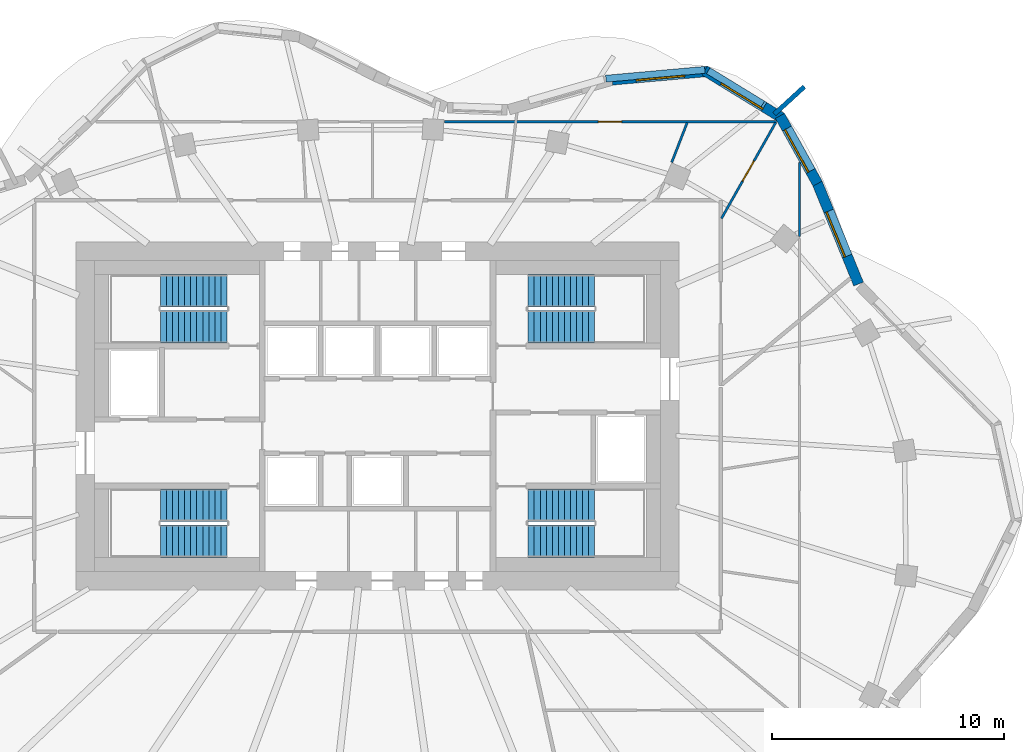
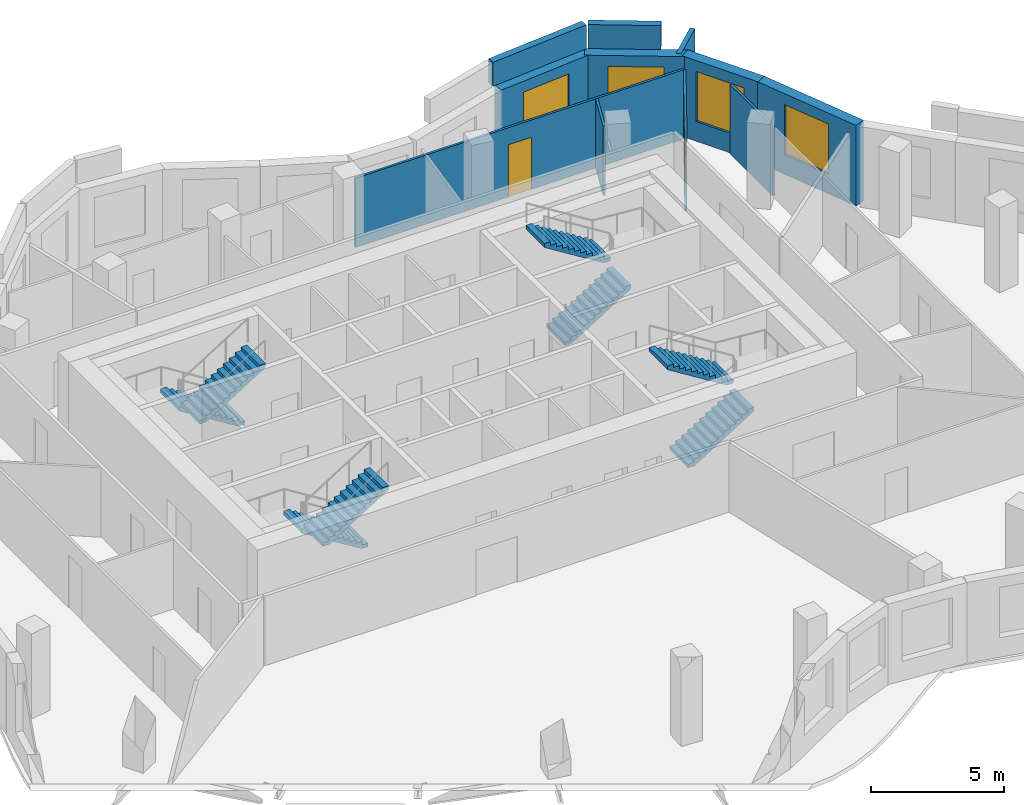
# One storey, part 8 of 9: 11 walls, 8 stair flights, 4 windows, 2 doors, 6 openings, 4 elements without a shape of their own.
"""IFC4 building model written with IfcOpenShell, lengths in metres."""

from ifc_helpers import new_model, si_unit, direction, frame, frame_2d, origin, place, context, subcontext, project, spatial, polyline, rectangle, outline, extrude, material, layer, layer_set, type_object, element, fill, aggregate, save


model = new_model("IFC4")

# Units and contexts
model_context = context("Model", 3, precision=1e-05, world=origin(), true_north=direction((0.0, 1.0)))
body_context = subcontext(model_context, "Body", "Model", "MODEL_VIEW")
ifc_project = project(units=[si_unit("LENGTHUNIT", "METRE"), si_unit("AREAUNIT", "SQUARE_METRE"), si_unit("VOLUMEUNIT", "CUBIC_METRE"), si_unit("PLANEANGLEUNIT", "RADIAN"), si_unit("MASSUNIT", "GRAM", prefix="KILO")], contexts=[model_context])

# Site, building, storey
site_placement = place(None, origin())
site = spatial("IfcSite", under=ifc_project, at=site_placement, CompositionType="ELEMENT")
building_placement = place(site_placement, origin())
building = spatial("IfcBuilding", under=site, at=building_placement, Name="Rubra Terraces Tower", CompositionType="ELEMENT")
storey_placement = place(building_placement, frame((0.0, 0.0, 272.699951171875)))
storey = spatial("IfcBuildingStorey", under=building, at=storey_placement, Name="L67", CompositionType="ELEMENT", Elevation=272.699951171875)

# Wall, opening, window
ifc_material_1 = material(Name="Brick masonry red-brown", Category="masonry")
ifc_layer_1 = layer(ifc_material_1, 0.449951171875)
ifc_layer_set_1 = layer_set([ifc_layer_1], Name="Brick masonry red-brown")
wall_type_1 = type_object("IfcWallType", Name="Brick facade wall 450", PredefinedType="SOLIDWALL", material=ifc_layer_set_1)
wall_1_placement = place(storey_placement, frame((20.753173828125, 10.190673828125, 0.0), z_axis=(0.0, 0.0, 1.0), x_axis=(-0.378471272902, 0.925613037715, 0.0)))
wall_1 = element("IfcWall", 1, at=wall_1_placement, inside=storey, type_object=wall_type_1, Name="Facade wall L67 bay 4", PredefinedType="SOLIDWALL", context=body_context, shape_type="SweptSolid", body=[
    extrude(rectangle(XDim=4.70703125, YDim=0.449951171875, at=frame_2d((2.353515625, 0.0))), origin(), (0.0, 0.0, 1.0), 3.699951171875),
])
opening_1_placement = place(wall_1_placement, frame((1.303466796875, 0.0, 0.89990234375)))
opening_1 = element("IfcOpeningElement", 2, at=opening_1_placement, cuts=wall_1, Name="Opening W1B", PredefinedType="OPENING", context=body_context, shape_type="SweptSolid", body=[
    extrude(rectangle(XDim=2.10009765625, YDim=2.300048828125, at=frame_2d((1.050048828125, 1.14990234375))), frame((0.0, 0.23486328125, 0.0), z_axis=(0.0, -1.0, 0.0), x_axis=(1.0, 0.0, 0.0)), (0.0, 0.0, 1.0), 0.469970703125),
])
ifc_material_2 = material(Name="Clear glass in aluminium frame", Category="aluminium")
window_type = type_object("IfcWindowType", Name="Fixed deep-set window tall storey 2100 x 2300", PartitioningType="SINGLE_PANEL", PredefinedType="WINDOW", material=ifc_material_2)
window_1_placement = place(opening_1_placement, origin())
window_1 = element("IfcWindow", 3, at=window_1_placement, inside=storey, type_object=window_type, Name="Window L67 bay 4", OverallHeight=2.300048828125, OverallWidth=2.10009765625, PartitioningType="SINGLE_PANEL", PredefinedType="WINDOW", context=body_context, shape_type="SweptSolid", body=[
    extrude(rectangle(XDim=2.10009765625, YDim=2.300048828125, at=frame_2d((1.050048828125, 1.14990234375))), frame((0.0, 0.135009765625, 0.0), z_axis=(0.0, -1.0, 0.0), x_axis=(1.0, 0.0, 0.0)), (0.0, 0.0, 1.0), 0.06005859375),
])
fill(opening_1, window_1)

wall_2_placement = place(storey_placement, frame((18.9833984375, 14.5234375, 0.0), z_axis=(0.0, 0.0, 1.0), x_axis=(-0.485630534022, 0.874164163316, 0.0)))
wall_2 = element("IfcWall", 4, at=wall_2_placement, inside=storey, type_object=wall_type_1, Name="Facade wall L67 bay 5", PredefinedType="SOLIDWALL", context=body_context, shape_type="SweptSolid", body=[
    extrude(rectangle(XDim=3.34423828125, YDim=0.449951171875, at=frame_2d((1.672119140625, 0.0))), origin(), (0.0, 0.0, 1.0), 3.699951171875),
])
opening_2_placement = place(wall_2_placement, frame((0.6220703125, 0.0, 0.89990234375)))
opening_2 = element("IfcOpeningElement", 5, at=opening_2_placement, cuts=wall_2, Name="Opening W1B", PredefinedType="OPENING", context=body_context, shape_type="SweptSolid", body=[
    extrude(rectangle(XDim=2.10009765625, YDim=2.300048828125, at=frame_2d((1.050048828125, 1.14990234375))), frame((0.0, 0.23486328125, 0.0), z_axis=(0.0, -1.0, 0.0), x_axis=(1.0, 0.0, 0.0)), (0.0, 0.0, 1.0), 0.469970703125),
])
window_2_placement = place(opening_2_placement, origin())
window_2 = element("IfcWindow", 6, at=window_2_placement, inside=storey, type_object=window_type, Name="Window L67 bay 5", OverallHeight=2.300048828125, OverallWidth=2.10009765625, PartitioningType="SINGLE_PANEL", PredefinedType="WINDOW", context=body_context, shape_type="SweptSolid", body=[
    extrude(rectangle(XDim=2.10009765625, YDim=2.300048828125, at=frame_2d((1.050048828125, 1.14990234375))), frame((0.0, 0.135009765625, 0.0), z_axis=(0.0, -1.0, 0.0), x_axis=(1.0, 0.0, 0.0)), (0.0, 0.0, 1.0), 0.06005859375),
])
fill(opening_2, window_2)

wall_3_placement = place(storey_placement, frame((17.4384765625, 17.3642578125, 0.0), z_axis=(0.0, 0.0, 1.0), x_axis=(-0.852622865325, 0.522526793117, 0.0)))
wall_3 = element("IfcWall", 7, at=wall_3_placement, inside=storey, type_object=wall_type_1, Name="Facade wall L67 bay 6", PredefinedType="SOLIDWALL", context=body_context, shape_type="SweptSolid", body=[
    extrude(rectangle(XDim=3.896240234375, YDim=0.449951171875, at=frame_2d((1.9482421875, 0.0))), origin(), (0.0, 0.0, 1.0), 3.699951171875),
])
opening_3_placement = place(wall_3_placement, frame((0.898193359375, 0.0, 0.89990234375)))
opening_3 = element("IfcOpeningElement", 8, at=opening_3_placement, cuts=wall_3, Name="Opening W1B", PredefinedType="OPENING", context=body_context, shape_type="SweptSolid", body=[
    extrude(rectangle(XDim=2.10009765625, YDim=2.300048828125, at=frame_2d((1.050048828125, 1.14990234375))), frame((0.0, 0.23486328125, 0.0), z_axis=(0.0, -1.0, 0.0), x_axis=(1.0, 0.0, 0.0)), (0.0, 0.0, 1.0), 0.469970703125),
])
window_3_placement = place(opening_3_placement, origin())
window_3 = element("IfcWindow", 9, at=window_3_placement, inside=storey, type_object=window_type, Name="Window L67 bay 6", OverallHeight=2.300048828125, OverallWidth=2.10009765625, PartitioningType="SINGLE_PANEL", PredefinedType="WINDOW", context=body_context, shape_type="SweptSolid", body=[
    extrude(rectangle(XDim=2.10009765625, YDim=2.300048828125, at=frame_2d((1.050048828125, 1.14990234375))), frame((0.0, 0.135009765625, 0.0), z_axis=(0.0, -1.0, 0.0), x_axis=(1.0, 0.0, 0.0)), (0.0, 0.0, 1.0), 0.06005859375),
])
fill(opening_3, window_3)

wall_4_placement = place(storey_placement, frame((14.25390625, 19.367919921875, 0.0), z_axis=(0.0, 0.0, 1.0), x_axis=(-0.996031553729, -0.089000808852, 0.0)))
wall_4 = element("IfcWall", 10, at=wall_4_placement, inside=storey, type_object=wall_type_1, Name="Facade wall L67 bay 7", PredefinedType="SOLIDWALL", context=body_context, shape_type="SweptSolid", body=[
    extrude(rectangle(XDim=4.144775390625, YDim=0.449951171875, at=frame_2d((2.072265625, 0.0))), origin(), (0.0, 0.0, 1.0), 3.699951171875),
])
opening_4_placement = place(wall_4_placement, frame((1.0224609375, 0.0, 0.89990234375)))
opening_4 = element("IfcOpeningElement", 11, at=opening_4_placement, cuts=wall_4, Name="Opening W1B", PredefinedType="OPENING", context=body_context, shape_type="SweptSolid", body=[
    extrude(rectangle(XDim=2.10009765625, YDim=2.300048828125, at=frame_2d((1.050048828125, 1.14990234375))), frame((0.0, 0.23486328125, 0.0), z_axis=(0.0, -1.0, 0.0), x_axis=(1.0, 0.0, 0.0)), (0.0, 0.0, 1.0), 0.469970703125),
])
window_4_placement = place(opening_4_placement, origin())
window_4 = element("IfcWindow", 12, at=window_4_placement, inside=storey, type_object=window_type, Name="Window L67 bay 7", OverallHeight=2.300048828125, OverallWidth=2.10009765625, PartitioningType="SINGLE_PANEL", PredefinedType="WINDOW", context=body_context, shape_type="SweptSolid", body=[
    extrude(rectangle(XDim=2.10009765625, YDim=2.300048828125, at=frame_2d((1.050048828125, 1.14990234375))), frame((0.0, 0.135009765625, 0.0), z_axis=(0.0, -1.0, 0.0), x_axis=(1.0, 0.0, 0.0)), (0.0, 0.0, 1.0), 0.06005859375),
])
fill(opening_4, window_4)

# Walls
ifc_layer_2 = layer(ifc_material_1, 0.300048828125)
ifc_layer_set_2 = layer_set([ifc_layer_2], Name="Brick masonry red-brown")
wall_type_2 = type_object("IfcWallType", Name="Brick parapet 300", PredefinedType="PARAPET", material=ifc_layer_set_2)
wall_5_placement = place(storey_placement, frame((16.617431640625, 17.955322265625, 3.900146484375), z_axis=(0.0, 0.0, 1.0), x_axis=(-0.852620335105, 0.522530921732, 0.0)))
element("IfcWall", 13, at=wall_5_placement, inside=storey, type_object=wall_type_2, Name="Parapet L67 bay 6", PredefinedType="PARAPET", context=body_context, shape_type="SweptSolid", body=[
    extrude(rectangle(XDim=2.758056640625, YDim=0.300048828125, at=frame_2d((1.37890625, 0.0))), origin(), (0.0, 0.0, 1.0), 1.099853515625),
])
wall_6_placement = place(storey_placement, frame((14.11865234375, 19.43115234375, 3.900146484375), z_axis=(0.0, 0.0, 1.0), x_axis=(-0.996029858658, -0.089019776805, 0.0)))
element("IfcWall", 14, at=wall_6_placement, inside=storey, type_object=wall_type_2, Name="Parapet L67 bay 7", PredefinedType="PARAPET", context=body_context, shape_type="SweptSolid", body=[
    extrude(rectangle(XDim=4.283935546875, YDim=0.300048828125, at=frame_2d((2.14208984375, 0.0))), origin(), (0.0, 0.0, 1.0), 1.099853515625),
])
ifc_layer_3 = layer(ifc_material_1, 0.199951171875)
ifc_layer_set_3 = layer_set([ifc_layer_3], Name="Brick masonry red-brown")
wall_type_3 = type_object("IfcWallType", Name="Brick wind fin 200", PredefinedType="SOLIDWALL", material=ifc_layer_set_3)
wall_7_placement = place(storey_placement, frame((17.118896484375, 17.52294921875, 0.0), z_axis=(0.0, 0.0, 1.0), x_axis=(0.737866019047, 0.674947211221, 0.0)))
element("IfcWall", 15, at=wall_7_placement, inside=storey, type_object=wall_type_3, Name="Wind fin L67 3", PredefinedType="SOLIDWALL", context=body_context, shape_type="SweptSolid", body=[
    extrude(rectangle(XDim=1.75, YDim=0.199951171875, at=frame_2d((0.875, 0.0))), origin(), (0.0, 0.0, 1.0), 3.699951171875),
])

# Wall, opening, door
ifc_material_3 = material(Name="Plasterboard on steel stud", Category="steel")
ifc_layer_4 = layer(ifc_material_3, 0.10009765625)
ifc_layer_set_4 = layer_set([ifc_layer_4], Name="Plasterboard on steel stud")
wall_type_4 = type_object("IfcWallType", Name="ROOM PARTITION 100", PredefinedType="PARTITIONING", material=ifc_layer_set_4)
wall_8_placement = place(storey_placement, frame((2.879150390625, 17.199951171875, 0.0), z_axis=(0.0, 0.0, 1.0), x_axis=(1.0, 0.0, 0.0)))
wall_8 = element("IfcWall", 16, at=wall_8_placement, inside=storey, type_object=wall_type_4, Name="PARTITION", PredefinedType="PARTITIONING", context=body_context, shape_type="SweptSolid", body=[
    extrude(rectangle(XDim=14.3369140625, YDim=0.10009765625, at=frame_2d((7.16845703125, 0.0))), origin(), (0.0, 0.0, 1.0), 3.18408203125),
])
opening_5_placement = place(wall_8_placement, frame((6.64990234375, 0.0, 0.0)))
opening_5 = element("IfcOpeningElement", 17, at=opening_5_placement, cuts=wall_8, Name="Opening 67-117", PredefinedType="OPENING", context=body_context, shape_type="SweptSolid", body=[
    extrude(rectangle(XDim=1.0, YDim=2.39990234375, at=frame_2d((0.5, 1.199951171875))), frame((0.0, 0.06005859375, 0.0), z_axis=(0.0, -1.0, 0.0), x_axis=(1.0, 0.0, 0.0)), (0.0, 0.0, 1.0), 0.1201171875),
])
ifc_material_4 = material(Name="Glazed aluminium meeting door leaf", Category="aluminium")
door_type = type_object("IfcDoorType", Name="MEETING ROOM GLAZED DOOR 1000 X 2400", OperationType="SINGLE_SWING_LEFT", PredefinedType="DOOR", material=ifc_material_4)
door_1_placement = place(opening_5_placement, origin())
door_1 = element("IfcDoor", 18, at=door_1_placement, inside=storey, type_object=door_type, Name="DOOR 67-117", OperationType="SINGLE_SWING_LEFT", OverallHeight=2.39990234375, OverallWidth=1.0, PredefinedType="DOOR", context=body_context, shape_type="SweptSolid", body=[
    extrude(rectangle(XDim=1.0, YDim=2.39990234375, at=frame_2d((0.5, 1.199951171875))), frame((0.0, 0.02490234375, 0.0), z_axis=(0.0, -1.0, 0.0), x_axis=(1.0, 0.0, 0.0)), (0.0, 0.0, 1.0), 0.050048828125),
])
fill(opening_5, door_1)

# Wall
wall_9_placement = place(storey_placement, frame((18.199951171875, 15.428955078125, 0.0), z_axis=(0.0, 0.0, 1.0), x_axis=(0.0, -1.0, 0.0)))
element("IfcWall", 19, at=wall_9_placement, inside=storey, type_object=wall_type_4, Name="PARTITION", PredefinedType="PARTITIONING", context=body_context, shape_type="SweptSolid", body=[
    extrude(rectangle(XDim=3.177490234375, YDim=0.10009765625, at=frame_2d((1.5888671875, 0.0))), origin(), (0.0, 0.0, 1.0), 3.18408203125),
])

# Wall, opening, door
wall_10_placement = place(storey_placement, frame((14.8369140625, 13.02197265625, 0.0), z_axis=(0.0, 0.0, 1.0), x_axis=(0.492409466631, 0.870363669492, 0.0)))
wall_10 = element("IfcWall", 20, at=wall_10_placement, inside=storey, type_object=wall_type_4, Name="PARTITION", PredefinedType="PARTITIONING", context=body_context, shape_type="SweptSolid", body=[
    extrude(rectangle(XDim=4.750244140625, YDim=0.10009765625, at=frame_2d((2.375, 0.0))), origin(), (0.0, 0.0, 1.0), 3.18408203125),
])
opening_6_placement = place(wall_10_placement, frame((1.85009765625, 0.0, 0.0)))
opening_6 = element("IfcOpeningElement", 21, at=opening_6_placement, cuts=wall_10, Name="Opening 67-118", PredefinedType="OPENING", context=body_context, shape_type="SweptSolid", body=[
    extrude(rectangle(XDim=1.0, YDim=2.39990234375, at=frame_2d((0.5, 1.199951171875))), frame((0.0, 0.06005859375, 0.0), z_axis=(0.0, -1.0, 0.0), x_axis=(1.0, 0.0, 0.0)), (0.0, 0.0, 1.0), 0.1201171875),
])
door_2_placement = place(opening_6_placement, origin())
door_2 = element("IfcDoor", 22, at=door_2_placement, inside=storey, type_object=door_type, Name="DOOR 67-118", OperationType="SINGLE_SWING_LEFT", OverallHeight=2.39990234375, OverallWidth=1.0, PredefinedType="DOOR", context=body_context, shape_type="SweptSolid", body=[
    extrude(rectangle(XDim=1.0, YDim=2.39990234375, at=frame_2d((0.5, 1.199951171875))), frame((0.0, 0.02490234375, 0.0), z_axis=(0.0, -1.0, 0.0), x_axis=(1.0, 0.0, 0.0)), (0.0, 0.0, 1.0), 0.050048828125),
])
fill(opening_6, door_2)

# Wall
wall_11_placement = place(storey_placement, frame((12.69189453125, 15.441162109375, 0.0), z_axis=(0.0, 0.0, 1.0), x_axis=(0.362298742871, 0.932062026323, 0.0)))
element("IfcWall", 23, at=wall_11_placement, inside=storey, type_object=wall_type_4, Name="PARTITION", PredefinedType="PARTITIONING", context=body_context, shape_type="SweptSolid", body=[
    extrude(rectangle(XDim=1.8369140625, YDim=0.10009765625, at=frame_2d((0.91845703125, 0.0))), origin(), (0.0, 0.0, 1.0), 3.18408203125),
])

# Stair, stair flights
ifc_material_5 = material(Name="Concrete C40", Category="concrete")
stair_type = type_object("IfcStairType", Name="Core stair 1400", PredefinedType="HALF_TURN_STAIR", material=ifc_material_5)
stair_1_placement = place(storey_placement, origin())
stair_1 = element("IfcStair", 24, at=stair_1_placement, inside=storey, type_object=stair_type, Name="L67 Exit stair S1", PredefinedType="HALF_TURN_STAIR")
stair_flight_type = type_object("IfcStairFlightType", Name="Core stair flight 1400", PredefinedType="STRAIGHT", material=ifc_material_5)
stair_flight_1_placement = place(storey_placement, frame((-6.5, 0.64990234375, 0.0), z_axis=(0.0, 0.0, 1.0), x_axis=(-1.0, 0.0, 0.0)))
stair_flight_1 = element("IfcStairFlight", 25, at=stair_flight_1_placement, type_object=stair_flight_type, Name="S1 flight 1", NumberOfRisers=12, NumberOfTreads=11, PredefinedType="STRAIGHT", RiserHeight=0.1625, TreadLength=0.26, context=body_context, shape_type="SweptSolid", body=[
    extrude(outline(polyline([(0.0, 0.0), (0.0, 0.16259765625), (0.260009765625, 0.16259765625), (0.260009765625, 0.324951171875), (0.52001953125, 0.324951171875), (0.52001953125, 0.487548828125), (0.780029296875, 0.487548828125), (0.780029296875, 0.64990234375), (1.0400390625, 0.64990234375), (1.0400390625, 0.8125), (1.300048828125, 0.8125), (1.300048828125, 0.97509765625), (1.56005859375, 0.97509765625), (1.56005859375, 1.137451171875), (1.820068359375, 1.137451171875), (1.820068359375, 1.300048828125), (2.080078125, 1.300048828125), (2.080078125, 1.46240234375), (2.340087890625, 1.46240234375), (2.340087890625, 1.625), (2.60009765625, 1.625), (2.60009765625, 1.78759765625), (2.860107421875, 1.78759765625), (2.860107421875, 1.949951171875), (2.860107421875, 1.61083984375), (0.28271484375, 0.0), (0.0, 0.0)])), frame((0.0, 0.699951171875, 0.0), z_axis=(0.0, -1.0, 0.0), x_axis=(1.0, 0.0, 0.0)), (0.0, 0.0, 1.0), 1.39990234375),
])
stair_flight_2_placement = place(storey_placement, frame((-9.360107421875, -0.89990234375, 1.949951171875), z_axis=(0.0, 0.0, 1.0), x_axis=(1.0, 0.0, 0.0)))
stair_flight_2 = element("IfcStairFlight", 26, at=stair_flight_2_placement, type_object=stair_flight_type, Name="S1 flight 2", NumberOfRisers=12, NumberOfTreads=11, PredefinedType="STRAIGHT", RiserHeight=0.1625, TreadLength=0.26, context=body_context, shape_type="SweptSolid", body=[
    extrude(outline(polyline([(0.0, 0.0), (0.0, 0.16259765625), (0.260009765625, 0.16259765625), (0.260009765625, 0.324951171875), (0.52001953125, 0.324951171875), (0.52001953125, 0.487548828125), (0.780029296875, 0.487548828125), (0.780029296875, 0.64990234375), (1.0400390625, 0.64990234375), (1.0400390625, 0.8125), (1.300048828125, 0.8125), (1.300048828125, 0.97509765625), (1.56005859375, 0.97509765625), (1.56005859375, 1.137451171875), (1.820068359375, 1.137451171875), (1.820068359375, 1.300048828125), (2.080078125, 1.300048828125), (2.080078125, 1.46240234375), (2.340087890625, 1.46240234375), (2.340087890625, 1.625), (2.60009765625, 1.625), (2.60009765625, 1.78759765625), (2.860107421875, 1.78759765625), (2.860107421875, 1.949951171875), (2.860107421875, 1.61083984375), (0.28271484375, 0.0), (0.0, 0.0)])), frame((0.0, 0.699951171875, 0.0), z_axis=(0.0, -1.0, 0.0), x_axis=(1.0, 0.0, 0.0)), (0.0, 0.0, 1.0), 1.39990234375),
])
aggregate(stair_1, [stair_flight_1, stair_flight_2])

stair_2_placement = place(storey_placement, origin())
stair_2 = element("IfcStair", 27, at=stair_2_placement, inside=storey, type_object=stair_type, Name="L67 Exit stair S2", PredefinedType="HALF_TURN_STAIR")
stair_flight_3_placement = place(storey_placement, frame((-6.5, 9.89990234375, 0.0), z_axis=(0.0, 0.0, 1.0), x_axis=(-1.0, 0.0, 0.0)))
stair_flight_3 = element("IfcStairFlight", 28, at=stair_flight_3_placement, type_object=stair_flight_type, Name="S2 flight 1", NumberOfRisers=12, NumberOfTreads=11, PredefinedType="STRAIGHT", RiserHeight=0.1625, TreadLength=0.26, context=body_context, shape_type="SweptSolid", body=[
    extrude(outline(polyline([(0.0, 0.0), (0.0, 0.16259765625), (0.260009765625, 0.16259765625), (0.260009765625, 0.324951171875), (0.52001953125, 0.324951171875), (0.52001953125, 0.487548828125), (0.780029296875, 0.487548828125), (0.780029296875, 0.64990234375), (1.0400390625, 0.64990234375), (1.0400390625, 0.8125), (1.300048828125, 0.8125), (1.300048828125, 0.97509765625), (1.56005859375, 0.97509765625), (1.56005859375, 1.137451171875), (1.820068359375, 1.137451171875), (1.820068359375, 1.300048828125), (2.080078125, 1.300048828125), (2.080078125, 1.46240234375), (2.340087890625, 1.46240234375), (2.340087890625, 1.625), (2.60009765625, 1.625), (2.60009765625, 1.78759765625), (2.860107421875, 1.78759765625), (2.860107421875, 1.949951171875), (2.860107421875, 1.61083984375), (0.28271484375, 0.0), (0.0, 0.0)])), frame((0.0, 0.699951171875, 0.0), z_axis=(0.0, -1.0, 0.0), x_axis=(1.0, 0.0, 0.0)), (0.0, 0.0, 1.0), 1.39990234375),
])
stair_flight_4_placement = place(storey_placement, frame((-9.360107421875, 8.35009765625, 1.949951171875), z_axis=(0.0, 0.0, 1.0), x_axis=(1.0, 0.0, 0.0)))
stair_flight_4 = element("IfcStairFlight", 29, at=stair_flight_4_placement, type_object=stair_flight_type, Name="S2 flight 2", NumberOfRisers=12, NumberOfTreads=11, PredefinedType="STRAIGHT", RiserHeight=0.1625, TreadLength=0.26, context=body_context, shape_type="SweptSolid", body=[
    extrude(outline(polyline([(0.0, 0.0), (0.0, 0.16259765625), (0.260009765625, 0.16259765625), (0.260009765625, 0.324951171875), (0.52001953125, 0.324951171875), (0.52001953125, 0.487548828125), (0.780029296875, 0.487548828125), (0.780029296875, 0.64990234375), (1.0400390625, 0.64990234375), (1.0400390625, 0.8125), (1.300048828125, 0.8125), (1.300048828125, 0.97509765625), (1.56005859375, 0.97509765625), (1.56005859375, 1.137451171875), (1.820068359375, 1.137451171875), (1.820068359375, 1.300048828125), (2.080078125, 1.300048828125), (2.080078125, 1.46240234375), (2.340087890625, 1.46240234375), (2.340087890625, 1.625), (2.60009765625, 1.625), (2.60009765625, 1.78759765625), (2.860107421875, 1.78759765625), (2.860107421875, 1.949951171875), (2.860107421875, 1.61083984375), (0.28271484375, 0.0), (0.0, 0.0)])), frame((0.0, 0.699951171875, 0.0), z_axis=(0.0, -1.0, 0.0), x_axis=(1.0, 0.0, 0.0)), (0.0, 0.0, 1.0), 1.39990234375),
])
aggregate(stair_2, [stair_flight_3, stair_flight_4])

stair_3_placement = place(storey_placement, origin())
stair_3 = element("IfcStair", 30, at=stair_3_placement, inside=storey, type_object=stair_type, Name="L67 Exit stair S3", PredefinedType="HALF_TURN_STAIR")
stair_flight_5_placement = place(storey_placement, frame((6.5, 8.35009765625, 0.0), z_axis=(0.0, 0.0, 1.0), x_axis=(1.0, 0.0, 0.0)))
stair_flight_5 = element("IfcStairFlight", 31, at=stair_flight_5_placement, type_object=stair_flight_type, Name="S3 flight 1", NumberOfRisers=12, NumberOfTreads=11, PredefinedType="STRAIGHT", RiserHeight=0.1625, TreadLength=0.26, context=body_context, shape_type="SweptSolid", body=[
    extrude(outline(polyline([(0.0, 0.0), (0.0, 0.16259765625), (0.260009765625, 0.16259765625), (0.260009765625, 0.324951171875), (0.52001953125, 0.324951171875), (0.52001953125, 0.487548828125), (0.780029296875, 0.487548828125), (0.780029296875, 0.64990234375), (1.0400390625, 0.64990234375), (1.0400390625, 0.8125), (1.300048828125, 0.8125), (1.300048828125, 0.97509765625), (1.56005859375, 0.97509765625), (1.56005859375, 1.137451171875), (1.820068359375, 1.137451171875), (1.820068359375, 1.300048828125), (2.080078125, 1.300048828125), (2.080078125, 1.46240234375), (2.340087890625, 1.46240234375), (2.340087890625, 1.625), (2.60009765625, 1.625), (2.60009765625, 1.78759765625), (2.860107421875, 1.78759765625), (2.860107421875, 1.949951171875), (2.860107421875, 1.61083984375), (0.28271484375, 0.0), (0.0, 0.0)])), frame((0.0, 0.699951171875, 0.0), z_axis=(0.0, -1.0, 0.0), x_axis=(1.0, 0.0, 0.0)), (0.0, 0.0, 1.0), 1.39990234375),
])
stair_flight_6_placement = place(storey_placement, frame((9.360107421875, 9.89990234375, 1.949951171875), z_axis=(0.0, 0.0, 1.0), x_axis=(-1.0, 0.0, 0.0)))
stair_flight_6 = element("IfcStairFlight", 32, at=stair_flight_6_placement, type_object=stair_flight_type, Name="S3 flight 2", NumberOfRisers=12, NumberOfTreads=11, PredefinedType="STRAIGHT", RiserHeight=0.1625, TreadLength=0.26, context=body_context, shape_type="SweptSolid", body=[
    extrude(outline(polyline([(0.0, 0.0), (0.0, 0.16259765625), (0.260009765625, 0.16259765625), (0.260009765625, 0.324951171875), (0.52001953125, 0.324951171875), (0.52001953125, 0.487548828125), (0.780029296875, 0.487548828125), (0.780029296875, 0.64990234375), (1.0400390625, 0.64990234375), (1.0400390625, 0.8125), (1.300048828125, 0.8125), (1.300048828125, 0.97509765625), (1.56005859375, 0.97509765625), (1.56005859375, 1.137451171875), (1.820068359375, 1.137451171875), (1.820068359375, 1.300048828125), (2.080078125, 1.300048828125), (2.080078125, 1.46240234375), (2.340087890625, 1.46240234375), (2.340087890625, 1.625), (2.60009765625, 1.625), (2.60009765625, 1.78759765625), (2.860107421875, 1.78759765625), (2.860107421875, 1.949951171875), (2.860107421875, 1.61083984375), (0.28271484375, 0.0), (0.0, 0.0)])), frame((0.0, 0.699951171875, 0.0), z_axis=(0.0, -1.0, 0.0), x_axis=(1.0, 0.0, 0.0)), (0.0, 0.0, 1.0), 1.39990234375),
])
aggregate(stair_3, [stair_flight_5, stair_flight_6])

stair_4_placement = place(storey_placement, origin())
stair_4 = element("IfcStair", 33, at=stair_4_placement, inside=storey, type_object=stair_type, Name="L67 Exit stair S4", PredefinedType="HALF_TURN_STAIR")
stair_flight_7_placement = place(storey_placement, frame((6.5, -0.89990234375, 0.0), z_axis=(0.0, 0.0, 1.0), x_axis=(1.0, 0.0, 0.0)))
stair_flight_7 = element("IfcStairFlight", 34, at=stair_flight_7_placement, type_object=stair_flight_type, Name="S4 flight 1", NumberOfRisers=12, NumberOfTreads=11, PredefinedType="STRAIGHT", RiserHeight=0.1625, TreadLength=0.26, context=body_context, shape_type="SweptSolid", body=[
    extrude(outline(polyline([(0.0, 0.0), (0.0, 0.16259765625), (0.260009765625, 0.16259765625), (0.260009765625, 0.324951171875), (0.52001953125, 0.324951171875), (0.52001953125, 0.487548828125), (0.780029296875, 0.487548828125), (0.780029296875, 0.64990234375), (1.0400390625, 0.64990234375), (1.0400390625, 0.8125), (1.300048828125, 0.8125), (1.300048828125, 0.97509765625), (1.56005859375, 0.97509765625), (1.56005859375, 1.137451171875), (1.820068359375, 1.137451171875), (1.820068359375, 1.300048828125), (2.080078125, 1.300048828125), (2.080078125, 1.46240234375), (2.340087890625, 1.46240234375), (2.340087890625, 1.625), (2.60009765625, 1.625), (2.60009765625, 1.78759765625), (2.860107421875, 1.78759765625), (2.860107421875, 1.949951171875), (2.860107421875, 1.61083984375), (0.28271484375, 0.0), (0.0, 0.0)])), frame((0.0, 0.699951171875, 0.0), z_axis=(0.0, -1.0, 0.0), x_axis=(1.0, 0.0, 0.0)), (0.0, 0.0, 1.0), 1.39990234375),
])
stair_flight_8_placement = place(storey_placement, frame((9.360107421875, 0.64990234375, 1.949951171875), z_axis=(0.0, 0.0, 1.0), x_axis=(-1.0, 0.0, 0.0)))
stair_flight_8 = element("IfcStairFlight", 35, at=stair_flight_8_placement, type_object=stair_flight_type, Name="S4 flight 2", NumberOfRisers=12, NumberOfTreads=11, PredefinedType="STRAIGHT", RiserHeight=0.1625, TreadLength=0.26, context=body_context, shape_type="SweptSolid", body=[
    extrude(outline(polyline([(0.0, 0.0), (0.0, 0.16259765625), (0.260009765625, 0.16259765625), (0.260009765625, 0.324951171875), (0.52001953125, 0.324951171875), (0.52001953125, 0.487548828125), (0.780029296875, 0.487548828125), (0.780029296875, 0.64990234375), (1.0400390625, 0.64990234375), (1.0400390625, 0.8125), (1.300048828125, 0.8125), (1.300048828125, 0.97509765625), (1.56005859375, 0.97509765625), (1.56005859375, 1.137451171875), (1.820068359375, 1.137451171875), (1.820068359375, 1.300048828125), (2.080078125, 1.300048828125), (2.080078125, 1.46240234375), (2.340087890625, 1.46240234375), (2.340087890625, 1.625), (2.60009765625, 1.625), (2.60009765625, 1.78759765625), (2.860107421875, 1.78759765625), (2.860107421875, 1.949951171875), (2.860107421875, 1.61083984375), (0.28271484375, 0.0), (0.0, 0.0)])), frame((0.0, 0.699951171875, 0.0), z_axis=(0.0, -1.0, 0.0), x_axis=(1.0, 0.0, 0.0)), (0.0, 0.0, 1.0), 1.39990234375),
])
aggregate(stair_4, [stair_flight_7, stair_flight_8])

save(model, "model.ifc")
